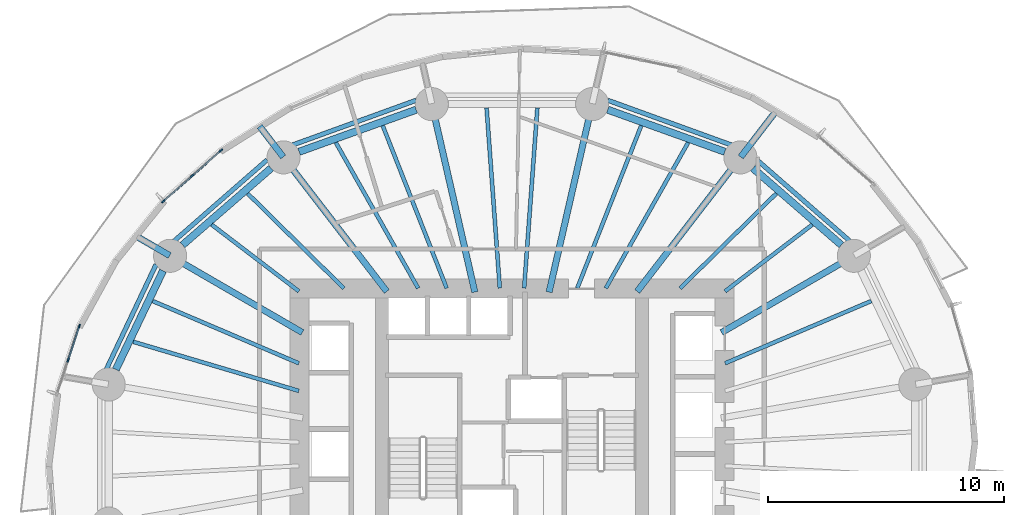
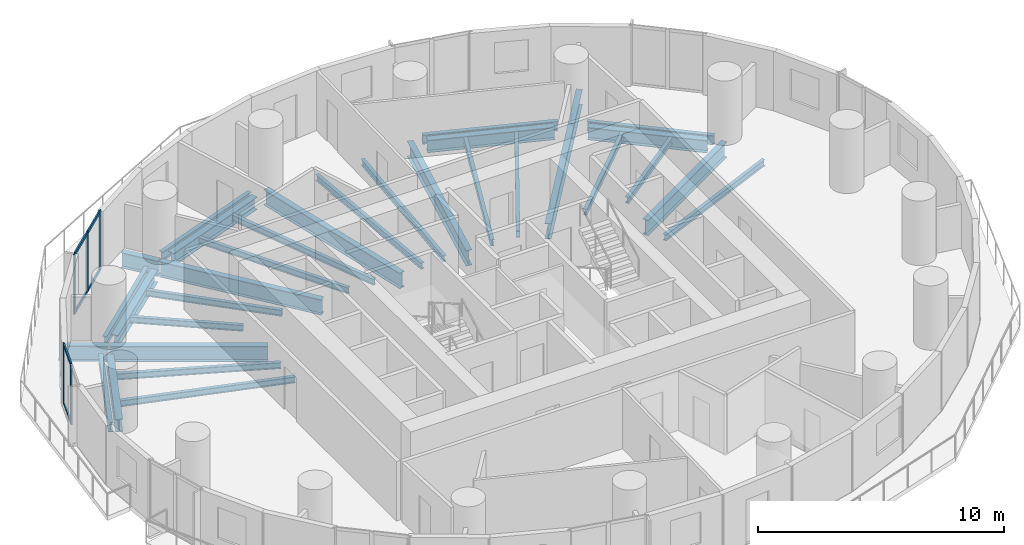
# One storey, part 4 of 14: 32 beams, 11 members, 2 elements without a shape of their own.
"""IFC4 building model written with IfcOpenShell, lengths in metres."""

from ifc_helpers import new_model, si_unit, direction, frame, origin, origin_2d, place, context, subcontext, project, spatial, rectangle, i_section, extrude, material, material_profile, profile_set, type_object, element, aggregate, save


model = new_model("IFC4")

# Units and contexts
model_context = context("Model", 3, precision=1e-05, world=origin(), true_north=direction((0.0, 1.0)))
body_context = subcontext(model_context, "Body", "Model", "MODEL_VIEW")
ifc_project = project(units=[si_unit("LENGTHUNIT", "METRE"), si_unit("AREAUNIT", "SQUARE_METRE"), si_unit("VOLUMEUNIT", "CUBIC_METRE"), si_unit("PLANEANGLEUNIT", "RADIAN"), si_unit("MASSUNIT", "GRAM", prefix="KILO")], contexts=[model_context])

# Site, building, storey
site_placement = place(None, origin())
site = spatial("IfcSite", under=ifc_project, at=site_placement, CompositionType="ELEMENT")
building_placement = place(site_placement, origin())
building = spatial("IfcBuilding", under=site, at=building_placement, Name="Veldorim Arch Residences", CompositionType="ELEMENT")
storey_placement = place(building_placement, frame((0.0, 0.0, 50.39990234375)))
storey = spatial("IfcBuildingStorey", under=building, at=storey_placement, Name="L14", CompositionType="ELEMENT", Elevation=50.39990234375)

# Beams
ifc_material_1 = material(Name="Steel S355", Category="steel")
ifc_material_profile_1 = material_profile(ifc_material_1, i_section(OverallWidth=0.30712890625, OverallDepth=0.6201171875, WebThickness=0.01416015625, FlangeThickness=0.023681640625, at=origin_2d()), Name="UB610x305x179")
ifc_profile_set_1 = profile_set([ifc_material_profile_1], Name="Steel S355")
beam_type_1 = type_object("IfcBeamType", Name="Structural Steel Beam UB610x305x179", PredefinedType="BEAM", material=ifc_profile_set_1)
beam_1_placement = place(storey_placement, frame((45.93896484375, 32.847900390625, -0.550048828125), z_axis=(-0.755264734985, 0.655419850239, 0.0), x_axis=(-0.655419850239, -0.755264734985, 0.0)))
element("IfcBeam", 1, at=beam_1_placement, inside=storey, type_object=beam_type_1, Name="L14 perimeter ring tie beam 02", PredefinedType="BEAM", context=body_context, shape_type="SweptSolid", body=[
    extrude(i_section(OverallWidth=0.30712890625, OverallDepth=0.6201171875, WebThickness=0.01416015625, FlangeThickness=0.023681640625, at=origin_2d()), origin(), (0.0, 0.0, 1.0), 4.956298828125),
])
for number, where, z_axis, x_axis, name in (
    (2, (41.00830078125, 36.7919921875, -0.550048828125), (-0.941058113369, 0.338244922006, 0.0), (-0.338244922006, -0.941058113369, 0.0), "L14 perimeter ring tie beam 03"),
    (3, (27.94677734375, 38.572998046875, -0.550048828125), (-0.941058113369, -0.338244922006, 0.0), (0.338244922006, -0.941058113369, 0.0), "L14 perimeter ring tie beam 05"),
):
    element("IfcBeam", number, at=place(storey_placement, frame(where, z_axis=z_axis, x_axis=x_axis)), inside=storey, type_object=beam_type_1, Name=name, PredefinedType="BEAM", context=body_context, shape_type="SweptSolid", body=[
        extrude(i_section(OverallWidth=0.30712890625, OverallDepth=0.6201171875, WebThickness=0.01416015625, FlangeThickness=0.023681640625, at=origin_2d()), origin(), (0.0, 0.0, 1.0), 5.265380859375),
    ])
beam_2_placement = place(storey_placement, frame((21.804443359375, 36.096435546875, -0.550048828125), z_axis=(-0.755264734985, -0.655419850239, 0.0), x_axis=(0.655419850239, -0.755264734985, 0.0)))
element("IfcBeam", 4, at=beam_2_placement, inside=storey, type_object=beam_type_1, Name="L14 perimeter ring tie beam 06", PredefinedType="BEAM", context=body_context, shape_type="SweptSolid", body=[
    extrude(i_section(OverallWidth=0.30712890625, OverallDepth=0.6201171875, WebThickness=0.01416015625, FlangeThickness=0.023681640625, at=origin_2d()), origin(), (0.0, 0.0, 1.0), 4.956298828125),
])
beam_3_placement = place(storey_placement, frame((17.23095703125, 31.75732421875, -0.550048828125), z_axis=(-0.430776422552, -0.902458682585, 0.0), x_axis=(0.902458682585, -0.430776422552, 0.0)))
element("IfcBeam", 5, at=beam_3_placement, inside=storey, type_object=beam_type_1, Name="L14 perimeter ring tie beam 07", PredefinedType="BEAM", context=body_context, shape_type="SweptSolid", body=[
    extrude(i_section(OverallWidth=0.30712890625, OverallDepth=0.6201171875, WebThickness=0.01416015625, FlangeThickness=0.023681640625, at=origin_2d()), origin(), (0.0, 0.0, 1.0), 4.63134765625),
])
ifc_material_2 = material(Name="Steel S355", Category="steel")
ifc_material_profile_2 = material_profile(ifc_material_2, i_section(OverallWidth=0.26806640625, OverallDepth=0.769775390625, WebThickness=0.015625, FlangeThickness=0.025390625, at=origin_2d()), Name="UB762x267x197")
ifc_profile_set_2 = profile_set([ifc_material_profile_2], Name="Steel S355")
beam_type_2 = type_object("IfcBeamType", Name="Structural Steel GIRDER UB762x267x197", PredefinedType="USERDEFINED", material=ifc_profile_set_2)
beam_4_placement = place(storey_placement, frame((40.8701171875, 29.1435546875, -0.624755859375), z_axis=(0.865088348752, 0.501619525989, 0.0), x_axis=(-0.501619525989, 0.865088348752, 0.0)))
element("IfcBeam", 6, at=beam_4_placement, inside=storey, type_object=beam_type_2, Name="L14 radial floor girder 02", ObjectType="GIRDER", PredefinedType="USERDEFINED", context=body_context, shape_type="SweptSolid", body=[
    extrude(i_section(OverallWidth=0.26806640625, OverallDepth=0.769775390625, WebThickness=0.015625, FlangeThickness=0.025390625, at=origin_2d()), origin(), (0.0, 0.0, 1.0), 6.4501953125),
])
beam_5_placement = place(storey_placement, frame((37.298095703125, 30.881103515625, -0.624755859375), z_axis=(0.610082439157, 0.792337943956, 0.0), x_axis=(-0.792337943956, 0.610082439157, 0.0)))
element("IfcBeam", 7, at=beam_5_placement, inside=storey, type_object=beam_type_2, Name="L14 radial floor girder 03", ObjectType="GIRDER", PredefinedType="USERDEFINED", context=body_context, shape_type="SweptSolid", body=[
    extrude(i_section(OverallWidth=0.26806640625, OverallDepth=0.769775390625, WebThickness=0.015625, FlangeThickness=0.025390625, at=origin_2d()), origin(), (0.0, 0.0, 1.0), 7.14111328125),
])
beam_6_placement = place(storey_placement, frame((41.67919921875, 36.571044921875, -0.624755859375), z_axis=(0.609999263859, 0.792401980116, 0.0), x_axis=(-0.792401980116, 0.609999263859, 0.0)))
element("IfcBeam", 8, at=beam_6_placement, inside=storey, type_object=beam_type_2, Name="L14 radial edge cantilever girder 03", ObjectType="GIRDER", PredefinedType="USERDEFINED", context=body_context, shape_type="SweptSolid", body=[
    extrude(i_section(OverallWidth=0.26806640625, OverallDepth=0.769775390625, WebThickness=0.015625, FlangeThickness=0.025390625, at=origin_2d()), origin(), (0.0, 0.0, 1.0), 2.453369140625),
])
for number, where, z_axis, x_axis, name in (
    (9, (33.571044921875, 30.853759765625, -0.624755859375), (0.223411766201, 0.974724157248, 0.0), (-0.974724157248, 0.223411766201, 0.0), "L14 radial floor girder 04"),
    (10, (30.428955078125, 30.853759765625, -0.624755859375), (-0.223411766201, 0.974724157248, 0.0), (-0.974724157248, -0.223411766201, 0.0), "L14 radial floor girder 05"),
):
    element("IfcBeam", number, at=place(storey_placement, frame(where, z_axis=z_axis, x_axis=x_axis)), inside=storey, type_object=beam_type_2, Name=name, ObjectType="GIRDER", PredefinedType="USERDEFINED", context=body_context, shape_type="SweptSolid", body=[
        extrude(i_section(OverallWidth=0.26806640625, OverallDepth=0.769775390625, WebThickness=0.015625, FlangeThickness=0.025390625, at=origin_2d()), origin(), (0.0, 0.0, 1.0), 8.142333984375),
    ])
beam_7_placement = place(storey_placement, frame((26.701904296875, 30.881103515625, -0.624755859375), z_axis=(-0.610082439157, 0.792337943956, 0.0), x_axis=(-0.792337943956, -0.610082439157, 0.0)))
element("IfcBeam", 11, at=beam_7_placement, inside=storey, type_object=beam_type_2, Name="L14 radial floor girder 06", ObjectType="GIRDER", PredefinedType="USERDEFINED", context=body_context, shape_type="SweptSolid", body=[
    extrude(i_section(OverallWidth=0.26806640625, OverallDepth=0.769775390625, WebThickness=0.015625, FlangeThickness=0.025390625, at=origin_2d()), origin(), (0.0, 0.0, 1.0), 7.14111328125),
])
beam_8_placement = place(storey_placement, frame((22.32080078125, 36.571044921875, -0.624755859375), z_axis=(-0.610020580693, 0.792385569739, 0.0), x_axis=(-0.792385569739, -0.610020580693, 0.0)))
element("IfcBeam", 12, at=beam_8_placement, inside=storey, type_object=beam_type_2, Name="L14 radial edge cantilever girder 06", ObjectType="GIRDER", PredefinedType="USERDEFINED", context=body_context, shape_type="SweptSolid", body=[
    extrude(i_section(OverallWidth=0.26806640625, OverallDepth=0.769775390625, WebThickness=0.015625, FlangeThickness=0.025390625, at=origin_2d()), origin(), (0.0, 0.0, 1.0), 1.63720703125),
])
beam_9_placement = place(storey_placement, frame((23.1298828125, 29.1435546875, -0.624755859375), z_axis=(-0.865088348752, 0.501619525989, 0.0), x_axis=(-0.501619525989, -0.865088348752, 0.0)))
element("IfcBeam", 13, at=beam_9_placement, inside=storey, type_object=beam_type_2, Name="L14 radial floor girder 07", ObjectType="GIRDER", PredefinedType="USERDEFINED", context=body_context, shape_type="SweptSolid", body=[
    extrude(i_section(OverallWidth=0.26806640625, OverallDepth=0.769775390625, WebThickness=0.015625, FlangeThickness=0.025390625, at=origin_2d()), origin(), (0.0, 0.0, 1.0), 6.4501953125),
])
beam_10_placement = place(storey_placement, frame((17.51513671875, 32.399169921875, -0.624755859375), z_axis=(-0.865102284846, 0.501595491163, 0.0), x_axis=(-0.501595491163, -0.865102284846, 0.0)))
element("IfcBeam", 14, at=beam_10_placement, inside=storey, type_object=beam_type_2, Name="L14 radial edge cantilever girder 07", ObjectType="GIRDER", PredefinedType="USERDEFINED", context=body_context, shape_type="SweptSolid", body=[
    extrude(i_section(OverallWidth=0.26806640625, OverallDepth=0.769775390625, WebThickness=0.015625, FlangeThickness=0.025390625, at=origin_2d()), origin(), (0.0, 0.0, 1.0), 1.6689453125),
])
ifc_material_3 = material(Name="Steel S355", Category="steel")
ifc_material_profile_3 = material_profile(ifc_material_3, i_section(OverallWidth=0.165771484375, OverallDepth=0.306640625, WebThickness=0.006591796875, FlangeThickness=0.01171875, at=origin_2d()), Name="UB305x165x46")
ifc_profile_set_3 = profile_set([ifc_material_profile_3], Name="Steel S355")
beam_type_3 = type_object("IfcBeamType", Name="Structural Steel Joist UB305x165x46", PredefinedType="JOIST", material=ifc_profile_set_3)
beam_11_placement = place(storey_placement, frame((41.018310546875, 27.84130859375, -0.393310546875), z_axis=(0.920032948668, 0.391841005213, 0.0), x_axis=(-0.391841005213, 0.920032948668, 0.0)))
element("IfcBeam", 15, at=beam_11_placement, inside=storey, type_object=beam_type_3, Name="L14 secondary radial floor joist 01-2", PredefinedType="JOIST", context=body_context, shape_type="SweptSolid", body=[
    extrude(i_section(OverallWidth=0.165771484375, OverallDepth=0.306640625, WebThickness=0.006591796875, FlangeThickness=0.01171875, at=origin_2d()), origin(), (0.0, 0.0, 1.0), 6.723388671875),
])
beam_12_placement = place(storey_placement, frame((41.015869140625, 30.8876953125, -0.393310546875), z_axis=(0.794666431166, 0.607046343517, 0.0), x_axis=(-0.607046343517, 0.794666431166, 0.0)))
element("IfcBeam", 16, at=beam_12_placement, inside=storey, type_object=beam_type_3, Name="L14 secondary radial floor joist 02-1", PredefinedType="JOIST", context=body_context, shape_type="SweptSolid", body=[
    extrude(i_section(OverallWidth=0.165771484375, OverallDepth=0.306640625, WebThickness=0.006591796875, FlangeThickness=0.01171875, at=origin_2d()), origin(), (0.0, 0.0, 1.0), 4.646728515625),
])
beam_13_placement = place(storey_placement, frame((39.114990234375, 31.013916015625, -0.393310546875), z_axis=(0.712129078446, 0.702048556463, 0.0), x_axis=(-0.702048556463, 0.712129078446, 0.0)))
element("IfcBeam", 17, at=beam_13_placement, inside=storey, type_object=beam_type_3, Name="L14 secondary radial floor joist 02-2", PredefinedType="JOIST", context=body_context, shape_type="SweptSolid", body=[
    extrude(i_section(OverallWidth=0.165771484375, OverallDepth=0.306640625, WebThickness=0.006591796875, FlangeThickness=0.01171875, at=origin_2d()), origin(), (0.0, 0.0, 1.0), 5.715576171875),
])
beam_14_placement = place(storey_placement, frame((35.96875, 31.017333984375, -0.393310546875), z_axis=(0.492292335352, 0.870429926274, 0.0), x_axis=(-0.870429926274, 0.492292335352, 0.0)))
element("IfcBeam", 18, at=beam_14_placement, inside=storey, type_object=beam_type_3, Name="L14 secondary radial floor joist 03-1", PredefinedType="JOIST", context=body_context, shape_type="SweptSolid", body=[
    extrude(i_section(OverallWidth=0.165771484375, OverallDepth=0.306640625, WebThickness=0.006591796875, FlangeThickness=0.01171875, at=origin_2d()), origin(), (0.0, 0.0, 1.0), 7.083251953125),
])
beam_15_placement = place(storey_placement, frame((34.762451171875, 31.0185546875, -0.393310546875), z_axis=(0.366229833858, 0.930524426758, 0.0), x_axis=(-0.930524426758, 0.366229833858, 0.0)))
element("IfcBeam", 19, at=beam_15_placement, inside=storey, type_object=beam_type_3, Name="L14 secondary radial floor joist 03-2", PredefinedType="JOIST", context=body_context, shape_type="SweptSolid", body=[
    extrude(i_section(OverallWidth=0.165771484375, OverallDepth=0.306640625, WebThickness=0.006591796875, FlangeThickness=0.01171875, at=origin_2d()), origin(), (0.0, 0.0, 1.0), 7.3896484375),
])
for number, where, z_axis, x_axis, name in (
    (20, (32.514892578125, 31.02001953125, -0.393310546875), (0.073167620373, 0.997319657547, 0.0), (-0.997319657547, 0.073167620373, 0.0), "L14 secondary radial floor joist 04-1"),
    (21, (31.485107421875, 31.02001953125, -0.393310546875), (-0.073167620373, 0.997319657547, 0.0), (-0.997319657547, -0.073167620373, 0.0), "L14 secondary radial floor joist 04-2"),
):
    element("IfcBeam", number, at=place(storey_placement, frame(where, z_axis=z_axis, x_axis=x_axis)), inside=storey, type_object=beam_type_3, Name=name, PredefinedType="JOIST", context=body_context, shape_type="SweptSolid", body=[
        extrude(i_section(OverallWidth=0.165771484375, OverallDepth=0.306640625, WebThickness=0.006591796875, FlangeThickness=0.01171875, at=origin_2d()), origin(), (0.0, 0.0, 1.0), 7.651123046875),
    ])
beam_16_placement = place(storey_placement, frame((29.237548828125, 31.0185546875, -0.393310546875), z_axis=(-0.366229833858, 0.930524426758, 0.0), x_axis=(-0.930524426758, -0.366229833858, 0.0)))
element("IfcBeam", 22, at=beam_16_placement, inside=storey, type_object=beam_type_3, Name="L14 secondary radial floor joist 05-1", PredefinedType="JOIST", context=body_context, shape_type="SweptSolid", body=[
    extrude(i_section(OverallWidth=0.165771484375, OverallDepth=0.306640625, WebThickness=0.006591796875, FlangeThickness=0.01171875, at=origin_2d()), origin(), (0.0, 0.0, 1.0), 7.3896484375),
])
beam_17_placement = place(storey_placement, frame((28.03125, 31.017333984375, -0.393310546875), z_axis=(-0.492292335352, 0.870429926274, 0.0), x_axis=(-0.870429926274, -0.492292335352, 0.0)))
element("IfcBeam", 23, at=beam_17_placement, inside=storey, type_object=beam_type_3, Name="L14 secondary radial floor joist 05-2", PredefinedType="JOIST", context=body_context, shape_type="SweptSolid", body=[
    extrude(i_section(OverallWidth=0.165771484375, OverallDepth=0.306640625, WebThickness=0.006591796875, FlangeThickness=0.01171875, at=origin_2d()), origin(), (0.0, 0.0, 1.0), 7.083251953125),
])
beam_18_placement = place(storey_placement, frame((24.885009765625, 31.013916015625, -0.393310546875), z_axis=(-0.712129078446, 0.702048556463, 0.0), x_axis=(-0.702048556463, -0.712129078446, 0.0)))
element("IfcBeam", 24, at=beam_18_placement, inside=storey, type_object=beam_type_3, Name="L14 secondary radial floor joist 06-1", PredefinedType="JOIST", context=body_context, shape_type="SweptSolid", body=[
    extrude(i_section(OverallWidth=0.165771484375, OverallDepth=0.306640625, WebThickness=0.006591796875, FlangeThickness=0.01171875, at=origin_2d()), origin(), (0.0, 0.0, 1.0), 5.715576171875),
])
beam_19_placement = place(storey_placement, frame((22.984130859375, 30.8876953125, -0.393310546875), z_axis=(-0.794666431166, 0.607046343517, 0.0), x_axis=(-0.607046343517, -0.794666431166, 0.0)))
element("IfcBeam", 25, at=beam_19_placement, inside=storey, type_object=beam_type_3, Name="L14 secondary radial floor joist 06-2", PredefinedType="JOIST", context=body_context, shape_type="SweptSolid", body=[
    extrude(i_section(OverallWidth=0.165771484375, OverallDepth=0.306640625, WebThickness=0.006591796875, FlangeThickness=0.01171875, at=origin_2d()), origin(), (0.0, 0.0, 1.0), 4.646728515625),
])
beam_20_placement = place(storey_placement, frame((22.981689453125, 27.84130859375, -0.393310546875), z_axis=(-0.920032948668, 0.391841005213, 0.0), x_axis=(-0.391841005213, -0.920032948668, 0.0)))
element("IfcBeam", 26, at=beam_20_placement, inside=storey, type_object=beam_type_3, Name="L14 secondary radial floor joist 07-1", PredefinedType="JOIST", context=body_context, shape_type="SweptSolid", body=[
    extrude(i_section(OverallWidth=0.165771484375, OverallDepth=0.306640625, WebThickness=0.006591796875, FlangeThickness=0.01171875, at=origin_2d()), origin(), (0.0, 0.0, 1.0), 6.723388671875),
])
beam_21_placement = place(storey_placement, frame((22.980712890625, 26.67333984375, -0.393310546875), z_axis=(-0.958766778771, 0.284194060325, 0.0), x_axis=(-0.284194060325, -0.958766778771, 0.0)))
element("IfcBeam", 27, at=beam_21_placement, inside=storey, type_object=beam_type_3, Name="L14 secondary radial floor joist 07-2", PredefinedType="JOIST", context=body_context, shape_type="SweptSolid", body=[
    extrude(i_section(OverallWidth=0.165771484375, OverallDepth=0.306640625, WebThickness=0.006591796875, FlangeThickness=0.01171875, at=origin_2d()), origin(), (0.0, 0.0, 1.0), 7.3115234375),
])
ifc_material_4 = material(Name="Steel S355", Category="steel")
ifc_material_profile_4 = material_profile(ifc_material_4, i_section(OverallWidth=0.19140625, OverallDepth=0.4599609375, WebThickness=0.010009765625, FlangeThickness=0.01611328125, at=origin_2d()), Name="UB457x191x82")
ifc_profile_set_4 = profile_set([ifc_material_profile_4], Name="Steel S355")
beam_type_4 = type_object("IfcBeamType", Name="Structural Steel Spandrel UB457x191x82", PredefinedType="SPANDREL", material=ifc_profile_set_4)
beam_22_placement = place(storey_placement, frame((46.332275390625, 32.98486328125, -0.489990234375), z_axis=(-0.75323350982, 0.657753205758, 0.0), x_axis=(-0.657753205758, -0.75323350982, 0.0)))
element("IfcBeam", 28, at=beam_22_placement, inside=storey, type_object=beam_type_4, Name="L14 perimeter chord spandrel beam 02", PredefinedType="SPANDREL", context=body_context, shape_type="SweptSolid", body=[
    extrude(i_section(OverallWidth=0.19140625, OverallDepth=0.4599609375, WebThickness=0.010009765625, FlangeThickness=0.01611328125, at=origin_2d()), origin(), (0.0, 0.0, 1.0), 5.27001953125),
])
for number, where, z_axis, x_axis, name in (
    (29, (41.319580078125, 37.06591796875, -0.489990234375), (-0.940268980555, 0.340432437064, 0.0), (-0.340432437064, -0.940268980555, 0.0), "L14 perimeter chord spandrel beam 03"),
    (30, (27.94140625, 38.970703125, -0.489990234375), (-0.940268980555, -0.340432437064, 0.0), (0.340432437064, -0.940268980555, 0.0), "L14 perimeter chord spandrel beam 05"),
):
    element("IfcBeam", number, at=place(storey_placement, frame(where, z_axis=z_axis, x_axis=x_axis)), inside=storey, type_object=beam_type_4, Name=name, PredefinedType="SPANDREL", context=body_context, shape_type="SweptSolid", body=[
        extrude(i_section(OverallWidth=0.19140625, OverallDepth=0.4599609375, WebThickness=0.010009765625, FlangeThickness=0.01611328125, at=origin_2d()), origin(), (0.0, 0.0, 1.0), 5.59521484375),
    ])
beam_23_placement = place(storey_placement, frame((21.63720703125, 36.451171875, -0.489990234375), z_axis=(-0.75323350982, -0.657753205758, 0.0), x_axis=(0.657753205758, -0.75323350982, 0.0)))
element("IfcBeam", 31, at=beam_23_placement, inside=storey, type_object=beam_type_4, Name="L14 perimeter chord spandrel beam 06", PredefinedType="SPANDREL", context=body_context, shape_type="SweptSolid", body=[
    extrude(i_section(OverallWidth=0.19140625, OverallDepth=0.4599609375, WebThickness=0.010009765625, FlangeThickness=0.01611328125, at=origin_2d()), origin(), (0.0, 0.0, 1.0), 5.27001953125),
])
beam_24_placement = place(storey_placement, frame((16.939453125, 32.023193359375, -0.489990234375), z_axis=(-0.428847831425, -0.903376741721, 0.0), x_axis=(0.903376741721, -0.428847831425, 0.0)))
element("IfcBeam", 32, at=beam_24_placement, inside=storey, type_object=beam_type_4, Name="L14 perimeter chord spandrel beam 07", PredefinedType="SPANDREL", context=body_context, shape_type="SweptSolid", body=[
    extrude(i_section(OverallWidth=0.19140625, OverallDepth=0.4599609375, WebThickness=0.010009765625, FlangeThickness=0.01611328125, at=origin_2d()), origin(), (0.0, 0.0, 1.0), 4.932861328125),
])

# Curtain wall, members
ifc_material_5 = material(Name="Aluminium", Category="aluminium")
curtain_wall_type = type_object("IfcCurtainWallType", Name="Zone 1 Acoustic Low-E Unitised Curtain Wall", PredefinedType="NOTDEFINED", material=ifc_material_5)
curtain_wall_1_placement = place(storey_placement, origin())
curtain_wall_1 = element("IfcCurtainWall", 33, at=curtain_wall_1_placement, inside=storey, type_object=curtain_wall_type, Name="L14 unitised curtain wall bay 13", PredefinedType="NOTDEFINED")
ifc_material_6 = material(Name="Aluminium", Category="aluminium")
ifc_material_profile_5 = material_profile(ifc_material_6, rectangle(XDim=0.06494140625, YDim=0.175048828125, at=origin_2d()), Name="ALU_MUL_65x175")
ifc_profile_set_5 = profile_set([ifc_material_profile_5], Name="Aluminium")
member_type_1 = type_object("IfcMemberType", Name="Zone 1 Acoustic Low-E Unitised Curtain Wall Mullion 65x175", PredefinedType="MULLION", material=ifc_profile_set_5)
member_1_placement = place(storey_placement, frame((17.2470703125, 34.698974609375, 0.0), z_axis=(0.0, 0.0, 1.0), x_axis=(-0.661206750082, 0.750203728094, 0.0)))
member_1 = element("IfcMember", 34, at=member_1_placement, type_object=member_type_1, Name="CW-Z1 mullion 1", PredefinedType="MULLION", context=body_context, shape_type="SweptSolid", body=[
    extrude(rectangle(XDim=0.06494140625, YDim=0.175048828125, at=origin_2d()), origin(), (0.0, 0.0, 1.0), 2.960205078125),
])
member_2_placement = place(storey_placement, frame((18.4638671875, 35.771484375, 0.0), z_axis=(0.0, 0.0, 1.0), x_axis=(-0.661206750082, 0.750203728094, 0.0)))
member_2 = element("IfcMember", 35, at=member_2_placement, type_object=member_type_1, Name="CW-Z1 mullion 2", PredefinedType="MULLION", context=body_context, shape_type="SweptSolid", body=[
    extrude(rectangle(XDim=0.06494140625, YDim=0.175048828125, at=origin_2d()), origin(), (0.0, 0.0, 1.0), 2.960205078125),
])
member_3_placement = place(storey_placement, frame((19.680908203125, 36.843994140625, 0.0), z_axis=(0.0, 0.0, 1.0), x_axis=(-0.661206750082, 0.750203728094, 0.0)))
member_3 = element("IfcMember", 36, at=member_3_placement, type_object=member_type_1, Name="CW-Z1 mullion 3", PredefinedType="MULLION", context=body_context, shape_type="SweptSolid", body=[
    extrude(rectangle(XDim=0.06494140625, YDim=0.175048828125, at=origin_2d()), origin(), (0.0, 0.0, 1.0), 2.960205078125),
])

curtain_wall_2_placement = place(storey_placement, origin())
curtain_wall_2 = element("IfcCurtainWall", 37, at=curtain_wall_2_placement, inside=storey, type_object=curtain_wall_type, Name="L14 unitised curtain wall bay 16", PredefinedType="NOTDEFINED")
member_4_placement = place(storey_placement, frame((13.217529296875, 27.972900390625, 0.0), z_axis=(0.0, 0.0, 1.0), x_axis=(-0.950263369365, 0.31144747365, 0.0)))
member_4 = element("IfcMember", 38, at=member_4_placement, type_object=member_type_1, Name="CW-Z1 mullion 2", PredefinedType="MULLION", context=body_context, shape_type="SweptSolid", body=[
    extrude(rectangle(XDim=0.06494140625, YDim=0.175048828125, at=origin_2d()), origin(), (0.0, 0.0, 1.0), 2.960205078125),
])
member_5_placement = place(storey_placement, frame((13.6875, 29.4072265625, 0.0), z_axis=(0.0, 0.0, 1.0), x_axis=(-0.950263369365, 0.31144747365, 0.0)))
member_5 = element("IfcMember", 39, at=member_5_placement, type_object=member_type_1, Name="CW-Z1 mullion 3", PredefinedType="MULLION", context=body_context, shape_type="SweptSolid", body=[
    extrude(rectangle(XDim=0.06494140625, YDim=0.175048828125, at=origin_2d()), origin(), (0.0, 0.0, 1.0), 2.960205078125),
])

# Member
ifc_material_7 = material(Name="Aluminium", Category="aluminium")
ifc_material_profile_6 = material_profile(ifc_material_7, rectangle(XDim=0.06494140625, YDim=0.14990234375, at=origin_2d()), Name="ALU_TRN_65x150")
ifc_profile_set_6 = profile_set([ifc_material_profile_6], Name="Aluminium")
member_type_2 = type_object("IfcMemberType", Name="Zone 1 Acoustic Low-E Unitised Curtain Wall Transom 65x150", PredefinedType="USERDEFINED", material=ifc_profile_set_6)
member_6_placement = place(storey_placement, frame((17.271484375, 34.720458984375, 0.03271484375), z_axis=(0.750162665742, 0.66125333642, 0.0), x_axis=(-0.66125333642, 0.750162665742, 0.0)))
member_6 = element("IfcMember", 40, at=member_6_placement, type_object=member_type_2, Name="CW-Z1 transom 1.1", ObjectType="TRANSOM", PredefinedType="USERDEFINED", context=body_context, shape_type="SweptSolid", body=[
    extrude(rectangle(XDim=0.06494140625, YDim=0.14990234375, at=origin_2d()), origin(), (0.0, 0.0, 1.0), 1.556884765625),
])

member_7_placement = place(storey_placement, frame((17.271484375, 34.720458984375, 2.927490234375), z_axis=(0.750162665742, 0.66125333642, 0.0), x_axis=(-0.66125333642, 0.750162665742, 0.0)))
member_7 = element("IfcMember", 41, at=member_7_placement, type_object=member_type_2, Name="CW-Z1 transom 1.2", ObjectType="TRANSOM", PredefinedType="USERDEFINED", context=body_context, shape_type="SweptSolid", body=[
    extrude(rectangle(XDim=0.06494140625, YDim=0.14990234375, at=origin_2d()), origin(), (0.0, 0.0, 1.0), 1.556884765625),
])

member_8_placement = place(storey_placement, frame((18.48828125, 35.79296875, 0.03271484375), z_axis=(0.750231218258, 0.661175558494, 0.0), x_axis=(-0.661175558494, 0.750231218258, 0.0)))
member_8 = element("IfcMember", 42, at=member_8_placement, type_object=member_type_2, Name="CW-Z1 transom 2.1", ObjectType="TRANSOM", PredefinedType="USERDEFINED", context=body_context, shape_type="SweptSolid", body=[
    extrude(rectangle(XDim=0.06494140625, YDim=0.14990234375, at=origin_2d()), origin(), (0.0, 0.0, 1.0), 1.55712890625),
])

member_9_placement = place(storey_placement, frame((18.48828125, 35.79296875, 2.927490234375), z_axis=(0.750231218258, 0.661175558494, 0.0), x_axis=(-0.661175558494, 0.750231218258, 0.0)))
member_9 = element("IfcMember", 43, at=member_9_placement, type_object=member_type_2, Name="CW-Z1 transom 2.2", ObjectType="TRANSOM", PredefinedType="USERDEFINED", context=body_context, shape_type="SweptSolid", body=[
    extrude(rectangle(XDim=0.06494140625, YDim=0.14990234375, at=origin_2d()), origin(), (0.0, 0.0, 1.0), 1.55712890625),
])

aggregate(curtain_wall_1, [member_1, member_2, member_3, member_6, member_7, member_8, member_9])

member_10_placement = place(storey_placement, frame((13.2275390625, 28.003662109375, 0.03271484375), z_axis=(0.311508136429, 0.950243485081, 0.0), x_axis=(-0.950243485081, 0.311508136429, 0.0)))
member_10 = element("IfcMember", 44, at=member_10_placement, type_object=member_type_2, Name="CW-Z1 transom 2.1", ObjectType="TRANSOM", PredefinedType="USERDEFINED", context=body_context, shape_type="SweptSolid", body=[
    extrude(rectangle(XDim=0.06494140625, YDim=0.14990234375, at=origin_2d()), origin(), (0.0, 0.0, 1.0), 1.4443359375),
])

member_11_placement = place(storey_placement, frame((13.2275390625, 28.003662109375, 2.927490234375), z_axis=(0.311508136429, 0.950243485081, 0.0), x_axis=(-0.950243485081, 0.311508136429, 0.0)))
member_11 = element("IfcMember", 45, at=member_11_placement, type_object=member_type_2, Name="CW-Z1 transom 2.2", ObjectType="TRANSOM", PredefinedType="USERDEFINED", context=body_context, shape_type="SweptSolid", body=[
    extrude(rectangle(XDim=0.06494140625, YDim=0.14990234375, at=origin_2d()), origin(), (0.0, 0.0, 1.0), 1.4443359375),
])

aggregate(curtain_wall_2, [member_4, member_5, member_10, member_11])

save(model, "model.ifc")
